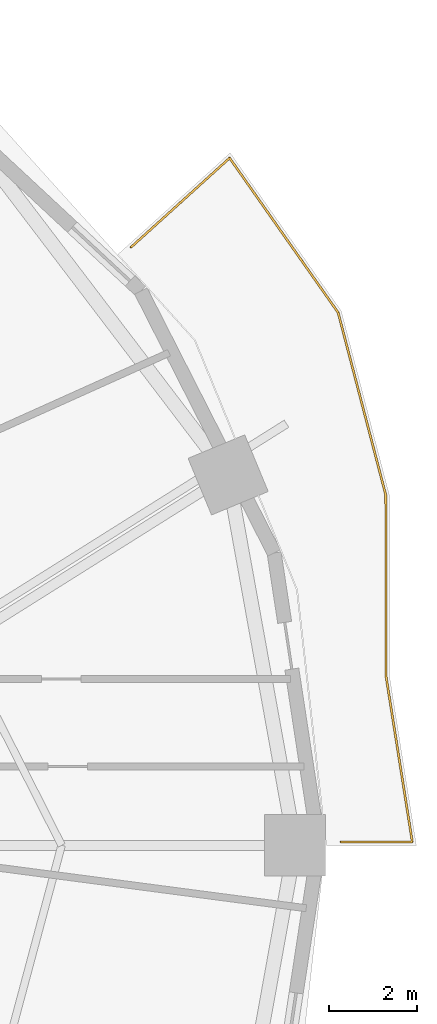
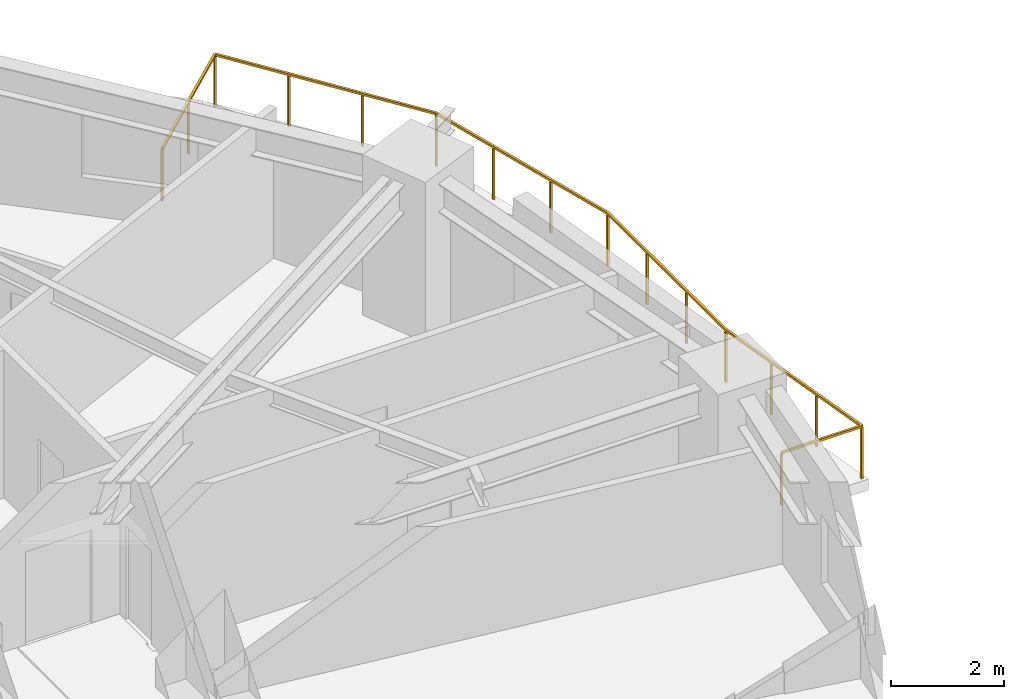
# One storey, part 16 of 16: 1 railing.
"""IFC4 building model written with IfcOpenShell, lengths in metres."""

import ifcopenshell
import ifcopenshell.guid

model = None  # the IFC model being written
_history = None  # IfcOwnerHistory: only IFC2X3 demands one
_inside = {}  # id of a spatial element -> (the spatial element, [elements in it])
_under = {}  # id of a project, library or spatial element -> (it, [spatial elements below it])
_declared = {}  # id of a project -> (the project, [libraries it declares])
_typed = {}  # id of a type object -> (the type object, [elements of that type])
_made_of = {}  # id of a material, layer set ... -> (it, [elements and type objects made of it])


def new_model(schema):
    """Start an empty IFC model of exactly this schema.

    Asked for "IFC4X3", IfcOpenShell would pick the latest addendum, in which some entities
    have other attributes; the version numbers below select the first issue.
    IFC2X3 requires an IfcOwnerHistory on every rooted entity: one is made here for all.
    """
    global model, _history
    if schema == "IFC4X3":
        model = ifcopenshell.file(schema_version=(4, 3, 0, 0))
    else:
        model = ifcopenshell.file(schema=schema)
    _inside.clear()
    _under.clear()
    _declared.clear()
    _typed.clear()
    _made_of.clear()
    _history = None
    if model.schema == "IFC2X3":
        org = make("IfcOrganization", Name="unknown")
        user = make(
            "IfcPersonAndOrganization",
            ThePerson=make("IfcPerson", FamilyName="unknown"),
            TheOrganization=org,
        )
        app = make(
            "IfcApplication",
            ApplicationDeveloper=org,
            Version="unknown",
            ApplicationFullName="unknown",
            ApplicationIdentifier="unknown",
        )
        _history = make(
            "IfcOwnerHistory",
            OwningUser=user,
            OwningApplication=app,
            ChangeAction="ADDED",
            CreationDate=0,
        )
    return model


def make(cls, **values):
    """One entity of the class cls with the attributes given. An attribute that is None is left unset."""
    return model.create_entity(
        cls, **{name: value for name, value in values.items() if value is not None}
    )


def rooted(cls, **values):
    """An entity with a GlobalId (a new one), such as an element, a storey or a relation."""
    return make(cls, GlobalId=ifcopenshell.guid.new(), OwnerHistory=_history, **values)


def si_unit(unit_type, name, prefix=None):
    """IfcSIUnit, for example si_unit("LENGTHUNIT", "METRE", prefix="MILLI")."""
    return make("IfcSIUnit", UnitType=unit_type, Prefix=prefix, Name=name)


def assignment(units):
    """IfcUnitAssignment: the units of a project."""
    return None if units is None else make("IfcUnitAssignment", Units=units)


def point(xyz):
    """IfcCartesianPoint."""
    return None if xyz is None else make("IfcCartesianPoint", Coordinates=xyz)


def direction(xyz):
    """IfcDirection."""
    return None if xyz is None else make("IfcDirection", DirectionRatios=xyz)


def frame(location, z_axis=None, x_axis=None):
    """IfcAxis2Placement3D, a coordinate frame: its origin and axes. An axis left out is left unset."""
    return make(
        "IfcAxis2Placement3D",
        Location=point(location),
        Axis=direction(z_axis),
        RefDirection=direction(x_axis),
    )


def frame_2d(location, x_axis=None):
    """IfcAxis2Placement2D, a coordinate frame in the plane: its origin and x axis."""
    return make(
        "IfcAxis2Placement2D", Location=point(location), RefDirection=direction(x_axis)
    )


def origin():
    """The frame at (0, 0, 0) with its axes left unset."""
    return frame((0.0, 0.0, 0.0))


def origin_2d():
    """The frame at (0, 0) in the plane with its x axis left unset."""
    return frame_2d((0.0, 0.0))


def place(relative_to, where):
    """IfcLocalPlacement: puts the frame where relative to a parent placement (None: the world)."""
    return make(
        "IfcLocalPlacement", PlacementRelTo=relative_to, RelativePlacement=where
    )


def context(
    kind, dimensions, precision=None, world=None, true_north=None, identifier=None
):
    """IfcGeometricRepresentationContext, for example the 3D "Model" context."""
    return make(
        "IfcGeometricRepresentationContext",
        ContextIdentifier=identifier,
        ContextType=kind,
        CoordinateSpaceDimension=dimensions,
        Precision=precision,
        WorldCoordinateSystem=world,
        TrueNorth=true_north,
    )


def subcontext(parent, identifier, kind, view, scale=None):
    """IfcGeometricRepresentationSubContext, for example "Body" below "Model"."""
    return make(
        "IfcGeometricRepresentationSubContext",
        ContextIdentifier=identifier,
        ContextType=kind,
        ParentContext=parent,
        TargetScale=scale,
        TargetView=view,
    )


def project(units=None, contexts=None):
    """IfcProject with its units and contexts."""
    return rooted(
        "IfcProject",
        Name="project",
        RepresentationContexts=contexts,
        UnitsInContext=assignment(units),
    )


def spatial(cls, under=None, at=None, **own):
    """A site, building, storey or space (cls), placed at a placement, below another one or the project."""
    s = rooted(cls, ObjectPlacement=at, **own)
    if under is not None:
        _under.setdefault(under.id(), (under, []))[1].append(s)
    return s


def profile(cls, at=None, kind="AREA", **sizes):
    """A parametric profile (cls). Its sizes go by their IFC names, for example OverallWidth=200.0."""
    return make(cls, ProfileType=kind, Position=at, **sizes)


def rectangle(**sizes):
    """IfcRectangleProfileDef."""
    return profile("IfcRectangleProfileDef", **sizes)


def extrude(swept, where, along, depth):
    """IfcExtrudedAreaSolid: the profile swept, set in the frame where, extruded along a direction by depth."""
    return make(
        "IfcExtrudedAreaSolid",
        SweptArea=swept,
        Position=where,
        ExtrudedDirection=direction(along),
        Depth=depth,
    )


def shape(context_of_items, identifier, shape_type, items):
    """IfcShapeRepresentation: the items that make up one representation, for example the "Body"."""
    return make(
        "IfcShapeRepresentation",
        ContextOfItems=context_of_items,
        RepresentationIdentifier=identifier,
        RepresentationType=shape_type,
        Items=items,
    )


def material(Name=None, Category=None):
    """IfcMaterial."""
    return make("IfcMaterial", Name=Name, Category=Category)


def made_of(thing, what):
    """Note that an element or type object is made of a material, layer set ...; save() writes the relation."""
    if what is not None:
        _made_of.setdefault(what.id(), (what, []))[1].append(thing)
    return thing


def type_object(cls, material=None, **own):
    """A type object (cls), such as IfcWallType, which elements share."""
    return made_of(rooted(cls, **own), material)


def element(
    cls,
    number,
    at=None,
    inside=None,
    cuts=None,
    type_object=None,
    material=None,
    context=None,
    identifier="Body",
    shape_type=None,
    held_by="IfcProductDefinitionShape",
    body=None,
    shapes=None,
    **own,
):
    """One element of the class cls, such as IfcWall. Its Tag is "e" and its number.

    at: its placement. inside: the storey or other place that contains it. cuts: it is an
    opening in that element (IfcRelVoidsElement). A single representation is given by context,
    identifier, shape_type and body (its items); several are given by shapes. held_by: the class
    of the entity that holds the representations. save() writes the other relations.
    """
    e = rooted(cls, Tag="e%d" % number, ObjectPlacement=at, **own)
    if body is not None:
        shapes = [shape(context, identifier, shape_type, body)]
    if shapes is not None:
        e.Representation = make(held_by, Representations=shapes)
    if inside is not None:
        _inside.setdefault(inside.id(), (inside, []))[1].append(e)
    if cuts is not None:
        rooted(
            "IfcRelVoidsElement", RelatingBuildingElement=cuts, RelatedOpeningElement=e
        )
    if type_object is not None:
        _typed.setdefault(type_object.id(), (type_object, []))[1].append(e)
    return made_of(e, material)


def aggregate(whole, parts):
    """IfcRelAggregates: a whole, such as a stair, and the parts it consists of."""
    return rooted("IfcRelAggregates", RelatingObject=whole, RelatedObjects=parts)


def save(model, path):
    """Write the relations noted so far, then the file.

    IfcRelAggregates (storeys below a building ...), IfcRelContainedInSpatialStructure (elements
    in a storey), IfcRelDefinesByType, IfcRelAssociatesMaterial and IfcRelDeclares: one each for
    every whole, place, type object, material and project.
    """
    for whole, parts in _under.values():
        aggregate(whole, parts)
    for where, things in _inside.values():
        rooted(
            "IfcRelContainedInSpatialStructure",
            RelatedElements=things,
            RelatingStructure=where,
        )
    for kind, things in _typed.values():
        rooted("IfcRelDefinesByType", RelatedObjects=things, RelatingType=kind)
    for what, things in _made_of.values():
        rooted("IfcRelAssociatesMaterial", RelatedObjects=things, RelatingMaterial=what)
    for by, libraries in _declared.values():
        rooted("IfcRelDeclares", RelatingContext=by, RelatedDefinitions=libraries)
    model.write(path)


model = new_model("IFC4")

# Units and contexts
model_context = context("Model", 3, precision=1e-05, world=origin(), true_north=direction((0.0, 1.0)))
body_context = subcontext(model_context, "Body", "Model", "MODEL_VIEW")
ifc_project = project(units=[si_unit("LENGTHUNIT", "METRE"), si_unit("AREAUNIT", "SQUARE_METRE"), si_unit("VOLUMEUNIT", "CUBIC_METRE"), si_unit("PLANEANGLEUNIT", "RADIAN"), si_unit("MASSUNIT", "GRAM", prefix="KILO")], contexts=[model_context])

# Site, building, storey
site_placement = place(None, origin())
site = spatial("IfcSite", under=ifc_project, at=site_placement, CompositionType="ELEMENT")
building_placement = place(site_placement, origin())
building = spatial("IfcBuilding", under=site, at=building_placement, Name="Haldorwick Loom Tower", CompositionType="ELEMENT")
storey_placement = place(building_placement, frame((0.0, 0.0, 88.699951171875)))
storey = spatial("IfcBuildingStorey", under=building, at=storey_placement, Name="L23", CompositionType="ELEMENT", Elevation=88.699951171875)

# Railing
ifc_material = material(Name="Galvanized Steel CSA G40.21 350W", Category="steel")
railing_type = type_object("IfcRailingType", Name="ARC-RLG-BAL115", PredefinedType="BALUSTRADE", material=ifc_material)
railing_placement = place(storey_placement, frame((60.115234375, 39.6572265625, 0.0)))
element("IfcRailing", 1, at=railing_placement, inside=storey, type_object=railing_type, Name="L23 Outdoor Terrace Guardrail SLB-L23-BAL_ENE-1", PredefinedType="BALUSTRADE", context=body_context, shape_type="SweptSolid", body=[
    extrude(rectangle(XDim=0.048095703125, YDim=0.048095703125, at=origin_2d()), frame((0.0, 0.0, 1.1259765625), z_axis=(0.741598706345, 0.670843766273, 0.0), x_axis=(-0.670843766273, 0.741598706345, 0.0)), (0.0, 0.0, 1.0), 3.032958984375),
    extrude(rectangle(XDim=0.048095703125, YDim=0.048095703125, at=origin_2d()), frame((2.249267578125, 2.03466796875, 1.1259765625), z_axis=(0.574647366474, -0.818401126713, 0.0), x_axis=(0.818401126713, 0.574647366474, 0.0)), (0.0, 0.0, 1.0), 4.311767578125),
    extrude(rectangle(XDim=0.048095703125, YDim=0.048095703125, at=origin_2d()), frame((4.72705078125, -1.494140625, 1.1259765625), z_axis=(0.252703533598, -0.967543758239, 0.0), x_axis=(0.967543758239, 0.252703533598, 0.0)), (0.0, 0.0, 1.0), 4.304931640625),
    extrude(rectangle(XDim=0.048095703125, YDim=0.048095703125, at=origin_2d()), frame((5.81494140625, -5.659423828125, 1.1259765625), z_axis=(0.002175825488, -0.999997632889, 0.0), x_axis=(0.999997632889, 0.002175825488, 0.0)), (0.0, 0.0, 1.0), 4.151611328125),
    extrude(rectangle(XDim=0.048095703125, YDim=0.048095703125, at=origin_2d()), frame((5.823974609375, -9.81103515625, 1.1259765625), z_axis=(0.039968038349, -0.999200958722, 0.0), x_axis=(0.999200958722, 0.039968038349, 0.0)), (0.0, 0.0, 1.0), 0.006103515625),
    extrude(rectangle(XDim=0.048095703125, YDim=0.048095703125, at=origin_2d()), frame((5.82421875, -9.817138671875, 1.1259765625), z_axis=(0.119145220618, -0.992876838487, 0.0), x_axis=(0.992876838487, 0.119145220618, 0.0)), (0.0, 0.0, 1.0), 0.006103515625),
    extrude(rectangle(XDim=0.048095703125, YDim=0.048095703125, at=origin_2d()), frame((5.824951171875, -9.8232421875, 1.1259765625), z_axis=(0.156602450098, -0.987661719732, 0.0), x_axis=(0.987661719732, 0.156602450098, 0.0)), (0.0, 0.0, 1.0), 3.80078125),
    extrude(rectangle(XDim=0.048095703125, YDim=0.048095703125, at=origin_2d()), frame((6.420166015625, -13.5771484375, 1.1259765625), z_axis=(-1.0, 0.0, 0.0), x_axis=(0.0, -1.0, 0.0)), (0.0, 0.0, 1.0), 1.634521484375),
    extrude(rectangle(XDim=0.0419921875, YDim=0.0419921875, at=origin_2d()), origin(), (0.0, 0.0, 1.0), 1.101806640625),
    extrude(rectangle(XDim=0.0419921875, YDim=0.0419921875, at=origin_2d()), frame((1.12451171875, 1.017333984375, 0.0)), (0.0, 0.0, 1.0), 1.101806640625),
    extrude(rectangle(XDim=0.0419921875, YDim=0.0419921875, at=origin_2d()), frame((2.249267578125, 2.03466796875, 0.0)), (0.0, 0.0, 1.0), 1.101806640625),
    extrude(rectangle(XDim=0.0419921875, YDim=0.0419921875, at=origin_2d()), frame((3.0751953125, 0.8583984375, 0.0)), (0.0, 0.0, 1.0), 1.101806640625),
    extrude(rectangle(XDim=0.0419921875, YDim=0.0419921875, at=origin_2d()), frame((3.901123046875, -0.31787109375, 0.0)), (0.0, 0.0, 1.0), 1.101806640625),
    extrude(rectangle(XDim=0.0419921875, YDim=0.0419921875, at=origin_2d()), frame((4.72705078125, -1.494140625, 0.0)), (0.0, 0.0, 1.0), 1.101806640625),
    extrude(rectangle(XDim=0.0419921875, YDim=0.0419921875, at=origin_2d()), frame((5.089599609375, -2.882568359375, 0.0)), (0.0, 0.0, 1.0), 1.101806640625),
    extrude(rectangle(XDim=0.0419921875, YDim=0.0419921875, at=origin_2d()), frame((5.452392578125, -4.27099609375, 0.0)), (0.0, 0.0, 1.0), 1.101806640625),
    extrude(rectangle(XDim=0.0419921875, YDim=0.0419921875, at=origin_2d()), frame((5.81494140625, -5.659423828125, 0.0)), (0.0, 0.0, 1.0), 1.101806640625),
    extrude(rectangle(XDim=0.0419921875, YDim=0.0419921875, at=origin_2d()), frame((5.81787109375, -7.043212890625, 0.0)), (0.0, 0.0, 1.0), 1.101806640625),
    extrude(rectangle(XDim=0.0419921875, YDim=0.0419921875, at=origin_2d()), frame((5.821044921875, -8.42724609375, 0.0)), (0.0, 0.0, 1.0), 1.101806640625),
    extrude(rectangle(XDim=0.0419921875, YDim=0.0419921875, at=origin_2d()), frame((5.823974609375, -9.81103515625, 0.0)), (0.0, 0.0, 1.0), 1.101806640625),
    extrude(rectangle(XDim=0.0419921875, YDim=0.0419921875, at=origin_2d()), frame((6.0234375, -11.074462890625, 0.0)), (0.0, 0.0, 1.0), 1.101806640625),
    extrude(rectangle(XDim=0.0419921875, YDim=0.0419921875, at=origin_2d()), frame((6.2216796875, -12.325927734375, 0.0)), (0.0, 0.0, 1.0), 1.101806640625),
    extrude(rectangle(XDim=0.0419921875, YDim=0.0419921875, at=origin_2d()), frame((6.420166015625, -13.5771484375, 0.0)), (0.0, 0.0, 1.0), 1.101806640625),
    extrude(rectangle(XDim=0.0419921875, YDim=0.0419921875, at=origin_2d()), frame((4.78564453125, -13.5771484375, 0.0)), (0.0, 0.0, 1.0), 1.101806640625),
])

save(model, "model.ifc")
